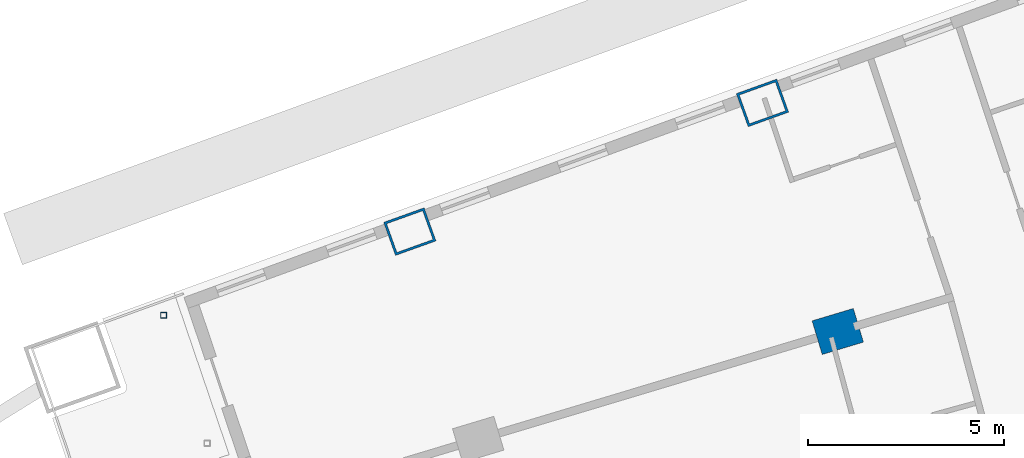
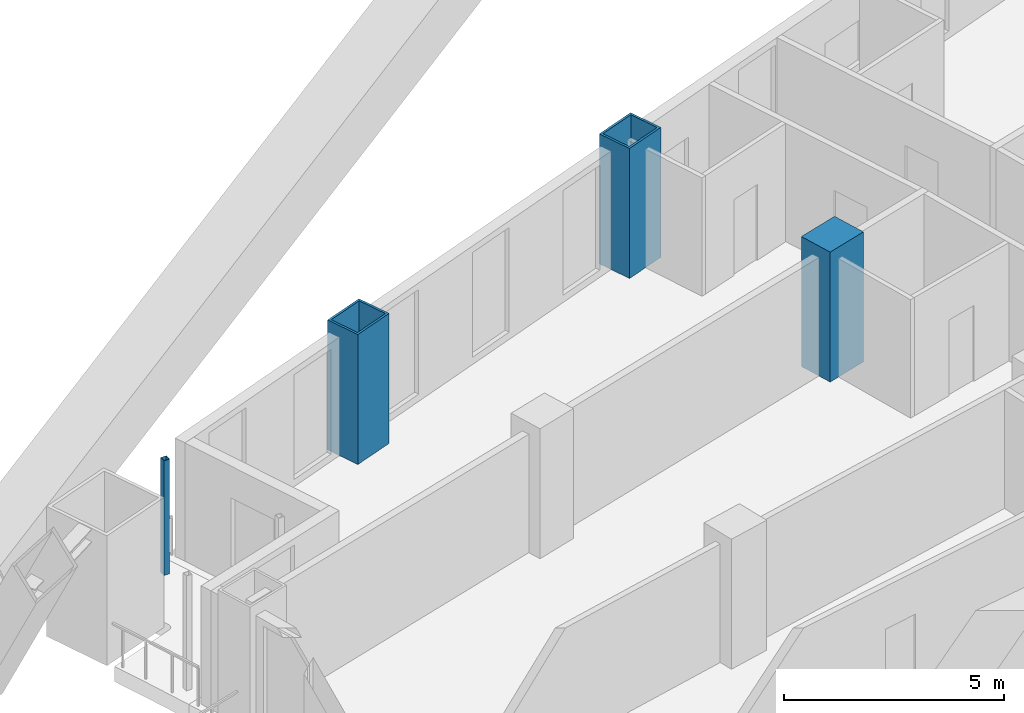
# One storey, part 9 of 25: 4 columns.
"""IFC4 building model written with IfcOpenShell, lengths in metres."""

import ifcopenshell
import ifcopenshell.guid

model = None  # the IFC model being written
_history = None  # IfcOwnerHistory: only IFC2X3 demands one
_inside = {}  # id of a spatial element -> (the spatial element, [elements in it])
_under = {}  # id of a project, library or spatial element -> (it, [spatial elements below it])
_declared = {}  # id of a project -> (the project, [libraries it declares])
_typed = {}  # id of a type object -> (the type object, [elements of that type])
_made_of = {}  # id of a material, layer set ... -> (it, [elements and type objects made of it])


def new_model(schema):
    """Start an empty IFC model of exactly this schema.

    Asked for "IFC4X3", IfcOpenShell would pick the latest addendum, in which some entities
    have other attributes; the version numbers below select the first issue.
    IFC2X3 requires an IfcOwnerHistory on every rooted entity: one is made here for all.
    """
    global model, _history
    if schema == "IFC4X3":
        model = ifcopenshell.file(schema_version=(4, 3, 0, 0))
    else:
        model = ifcopenshell.file(schema=schema)
    _inside.clear()
    _under.clear()
    _declared.clear()
    _typed.clear()
    _made_of.clear()
    _history = None
    if model.schema == "IFC2X3":
        org = make("IfcOrganization", Name="unknown")
        user = make(
            "IfcPersonAndOrganization",
            ThePerson=make("IfcPerson", FamilyName="unknown"),
            TheOrganization=org,
        )
        app = make(
            "IfcApplication",
            ApplicationDeveloper=org,
            Version="unknown",
            ApplicationFullName="unknown",
            ApplicationIdentifier="unknown",
        )
        _history = make(
            "IfcOwnerHistory",
            OwningUser=user,
            OwningApplication=app,
            ChangeAction="ADDED",
            CreationDate=0,
        )
    return model


def make(cls, **values):
    """One entity of the class cls with the attributes given. An attribute that is None is left unset."""
    return model.create_entity(
        cls, **{name: value for name, value in values.items() if value is not None}
    )


def rooted(cls, **values):
    """An entity with a GlobalId (a new one), such as an element, a storey or a relation."""
    return make(cls, GlobalId=ifcopenshell.guid.new(), OwnerHistory=_history, **values)


def si_unit(unit_type, name, prefix=None):
    """IfcSIUnit, for example si_unit("LENGTHUNIT", "METRE", prefix="MILLI")."""
    return make("IfcSIUnit", UnitType=unit_type, Prefix=prefix, Name=name)


def assignment(units):
    """IfcUnitAssignment: the units of a project."""
    return None if units is None else make("IfcUnitAssignment", Units=units)


def point(xyz):
    """IfcCartesianPoint."""
    return None if xyz is None else make("IfcCartesianPoint", Coordinates=xyz)


def direction(xyz):
    """IfcDirection."""
    return None if xyz is None else make("IfcDirection", DirectionRatios=xyz)


def frame(location, z_axis=None, x_axis=None):
    """IfcAxis2Placement3D, a coordinate frame: its origin and axes. An axis left out is left unset."""
    return make(
        "IfcAxis2Placement3D",
        Location=point(location),
        Axis=direction(z_axis),
        RefDirection=direction(x_axis),
    )


def frame_2d(location, x_axis=None):
    """IfcAxis2Placement2D, a coordinate frame in the plane: its origin and x axis."""
    return make(
        "IfcAxis2Placement2D", Location=point(location), RefDirection=direction(x_axis)
    )


def origin():
    """The frame at (0, 0, 0) with its axes left unset."""
    return frame((0.0, 0.0, 0.0))


def origin_2d():
    """The frame at (0, 0) in the plane with its x axis left unset."""
    return frame_2d((0.0, 0.0))


def place(relative_to, where):
    """IfcLocalPlacement: puts the frame where relative to a parent placement (None: the world)."""
    return make(
        "IfcLocalPlacement", PlacementRelTo=relative_to, RelativePlacement=where
    )


def context(
    kind, dimensions, precision=None, world=None, true_north=None, identifier=None
):
    """IfcGeometricRepresentationContext, for example the 3D "Model" context."""
    return make(
        "IfcGeometricRepresentationContext",
        ContextIdentifier=identifier,
        ContextType=kind,
        CoordinateSpaceDimension=dimensions,
        Precision=precision,
        WorldCoordinateSystem=world,
        TrueNorth=true_north,
    )


def subcontext(parent, identifier, kind, view, scale=None):
    """IfcGeometricRepresentationSubContext, for example "Body" below "Model"."""
    return make(
        "IfcGeometricRepresentationSubContext",
        ContextIdentifier=identifier,
        ContextType=kind,
        ParentContext=parent,
        TargetScale=scale,
        TargetView=view,
    )


def project(units=None, contexts=None):
    """IfcProject with its units and contexts."""
    return rooted(
        "IfcProject",
        Name="project",
        RepresentationContexts=contexts,
        UnitsInContext=assignment(units),
    )


def spatial(cls, under=None, at=None, **own):
    """A site, building, storey or space (cls), placed at a placement, below another one or the project."""
    s = rooted(cls, ObjectPlacement=at, **own)
    if under is not None:
        _under.setdefault(under.id(), (under, []))[1].append(s)
    return s


def profile(cls, at=None, kind="AREA", **sizes):
    """A parametric profile (cls). Its sizes go by their IFC names, for example OverallWidth=200.0."""
    return make(cls, ProfileType=kind, Position=at, **sizes)


def rectangle(**sizes):
    """IfcRectangleProfileDef."""
    return profile("IfcRectangleProfileDef", **sizes)


def hollow_rectangle(**sizes):
    """IfcRectangleHollowProfileDef."""
    return profile("IfcRectangleHollowProfileDef", **sizes)


def extrude(swept, where, along, depth):
    """IfcExtrudedAreaSolid: the profile swept, set in the frame where, extruded along a direction by depth."""
    return make(
        "IfcExtrudedAreaSolid",
        SweptArea=swept,
        Position=where,
        ExtrudedDirection=direction(along),
        Depth=depth,
    )


def shape(context_of_items, identifier, shape_type, items):
    """IfcShapeRepresentation: the items that make up one representation, for example the "Body"."""
    return make(
        "IfcShapeRepresentation",
        ContextOfItems=context_of_items,
        RepresentationIdentifier=identifier,
        RepresentationType=shape_type,
        Items=items,
    )


def material(Name=None, Category=None):
    """IfcMaterial."""
    return make("IfcMaterial", Name=Name, Category=Category)


def material_profile(
    of_material, cross_section, Name=None, Category=None, Priority=None
):
    """IfcMaterialProfile: a cross section and its material."""
    return make(
        "IfcMaterialProfile",
        Name=Name,
        Material=of_material,
        Profile=cross_section,
        Priority=Priority,
        Category=Category,
    )


def profile_set(profiles, Name=None, composite=None):
    """IfcMaterialProfileSet."""
    return make(
        "IfcMaterialProfileSet",
        Name=Name,
        MaterialProfiles=profiles,
        CompositeProfile=composite,
    )


def made_of(thing, what):
    """Note that an element or type object is made of a material, layer set ...; save() writes the relation."""
    if what is not None:
        _made_of.setdefault(what.id(), (what, []))[1].append(thing)
    return thing


def type_object(cls, material=None, **own):
    """A type object (cls), such as IfcWallType, which elements share."""
    return made_of(rooted(cls, **own), material)


def element(
    cls,
    number,
    at=None,
    inside=None,
    cuts=None,
    type_object=None,
    material=None,
    context=None,
    identifier="Body",
    shape_type=None,
    held_by="IfcProductDefinitionShape",
    body=None,
    shapes=None,
    **own,
):
    """One element of the class cls, such as IfcWall. Its Tag is "e" and its number.

    at: its placement. inside: the storey or other place that contains it. cuts: it is an
    opening in that element (IfcRelVoidsElement). A single representation is given by context,
    identifier, shape_type and body (its items); several are given by shapes. held_by: the class
    of the entity that holds the representations. save() writes the other relations.
    """
    e = rooted(cls, Tag="e%d" % number, ObjectPlacement=at, **own)
    if body is not None:
        shapes = [shape(context, identifier, shape_type, body)]
    if shapes is not None:
        e.Representation = make(held_by, Representations=shapes)
    if inside is not None:
        _inside.setdefault(inside.id(), (inside, []))[1].append(e)
    if cuts is not None:
        rooted(
            "IfcRelVoidsElement", RelatingBuildingElement=cuts, RelatedOpeningElement=e
        )
    if type_object is not None:
        _typed.setdefault(type_object.id(), (type_object, []))[1].append(e)
    return made_of(e, material)


def aggregate(whole, parts):
    """IfcRelAggregates: a whole, such as a stair, and the parts it consists of."""
    return rooted("IfcRelAggregates", RelatingObject=whole, RelatedObjects=parts)


def save(model, path):
    """Write the relations noted so far, then the file.

    IfcRelAggregates (storeys below a building ...), IfcRelContainedInSpatialStructure (elements
    in a storey), IfcRelDefinesByType, IfcRelAssociatesMaterial and IfcRelDeclares: one each for
    every whole, place, type object, material and project.
    """
    for whole, parts in _under.values():
        aggregate(whole, parts)
    for where, things in _inside.values():
        rooted(
            "IfcRelContainedInSpatialStructure",
            RelatedElements=things,
            RelatingStructure=where,
        )
    for kind, things in _typed.values():
        rooted("IfcRelDefinesByType", RelatedObjects=things, RelatingType=kind)
    for what, things in _made_of.values():
        rooted("IfcRelAssociatesMaterial", RelatedObjects=things, RelatingMaterial=what)
    for by, libraries in _declared.values():
        rooted("IfcRelDeclares", RelatingContext=by, RelatedDefinitions=libraries)
    model.write(path)


model = new_model("IFC4")

# Units and contexts
model_context = context("Model", 3, precision=1e-05, world=origin(), true_north=direction((0.0, 1.0)))
body_context = subcontext(model_context, "Body", "Model", "MODEL_VIEW")
ifc_project = project(units=[si_unit("LENGTHUNIT", "METRE"), si_unit("AREAUNIT", "SQUARE_METRE"), si_unit("VOLUMEUNIT", "CUBIC_METRE"), si_unit("PLANEANGLEUNIT", "RADIAN"), si_unit("MASSUNIT", "GRAM", prefix="KILO")], contexts=[model_context])

# Site, building, storey
site_placement = place(None, origin())
site = spatial("IfcSite", under=ifc_project, at=site_placement, CompositionType="ELEMENT")
building_placement = place(site_placement, origin())
building = spatial("IfcBuilding", under=site, at=building_placement, Name="Alderwake Tower", CompositionType="ELEMENT")
storey_placement = place(building_placement, frame((0.0, 0.0, 32.0)))
storey = spatial("IfcBuildingStorey", under=building, at=storey_placement, Name="L06", CompositionType="ELEMENT", Elevation=32.0)

# Columns
ifc_material_1 = material(Name="Steel ASTM A572 Grade 50 concrete filled C70/85", Category="concrete")
ifc_material_profile_1 = material_profile(ifc_material_1, hollow_rectangle(XDim=0.89990234375, YDim=1.10009765625, WallThickness=0.06005859375, at=origin_2d()), Name="BOX 1100X900X60")
ifc_profile_set_1 = profile_set([ifc_material_profile_1], Name="Steel ASTM A572 Grade 50 concrete filled C70/85")
column_type_1 = type_object("IfcColumnType", Name="End column Z1", PredefinedType="COLUMN", material=ifc_profile_set_1)
for number, where, z_axis, x_axis, name in (
    (1, (19.965576171875, 96.8515625, 0.0), (0.0, 0.0, 1.0), (-0.337584879279, 0.9412950915, 0.0), "Column R13-C1"),
    (2, (28.983642578125, 100.143310546875, 0.0), (0.0, 0.0, 1.0), (-0.338026774049, 0.941136493834, 0.0), "Column R13-C2"),
):
    element("IfcColumn", number, at=place(storey_placement, frame(where, z_axis=z_axis, x_axis=x_axis)), inside=storey, type_object=column_type_1, Name=name, PredefinedType="COLUMN", context=body_context, shape_type="SweptSolid", body=[
        extrude(hollow_rectangle(XDim=0.89990234375, YDim=1.10009765625, WallThickness=0.06005859375, at=origin_2d()), origin(), (0.0, 0.0, 1.0), 3.60009765625),
    ])
ifc_material_2 = material(Name="Concrete C70/85", Category="concrete")
ifc_material_profile_2 = material_profile(ifc_material_2, rectangle(XDim=0.89990234375, YDim=1.10009765625, at=origin_2d()), Name="RC 1100X900")
ifc_profile_set_2 = profile_set([ifc_material_profile_2], Name="Concrete C70/85")
column_type_2 = type_object("IfcColumnType", Name="Interior column Z1", PredefinedType="COLUMN", material=ifc_profile_set_2)
column_1_placement = place(storey_placement, frame((30.9091796875, 94.298095703125, 0.0), z_axis=(0.0, 0.0, 1.0), x_axis=(-0.287549418125, 0.957765802342, 0.0)))
element("IfcColumn", 3, at=column_1_placement, inside=storey, type_object=column_type_2, Name="Column R12-C2", PredefinedType="COLUMN", context=body_context, shape_type="SweptSolid", body=[
    extrude(rectangle(XDim=0.89990234375, YDim=1.10009765625, at=origin_2d()), origin(), (0.0, 0.0, 1.0), 3.60009765625),
])
ifc_material_3 = material(Name="Steel ASTM A500 Grade C", Category="steel")
ifc_material_profile_3 = material_profile(ifc_material_3, hollow_rectangle(XDim=0.15234375, YDim=0.15234375, WallThickness=0.0087890625, at=origin_2d()), Name="HSS6X6X3/8")
ifc_profile_set_3 = profile_set([ifc_material_profile_3], Name="Steel ASTM A500 Grade C")
column_type_3 = type_object("IfcColumnType", Name="Light post HSS6X6X3/8", PredefinedType="COLUMN", material=ifc_profile_set_3)
column_2_placement = place(storey_placement, frame((13.66796875, 94.71240234375, 0.0), z_axis=(0.0, 0.0, 1.0), x_axis=(1.0, 0.0, 0.0)))
element("IfcColumn", 4, at=column_2_placement, inside=storey, type_object=column_type_3, Name="Terrace post RN2", PredefinedType="COLUMN", context=body_context, shape_type="SweptSolid", body=[
    extrude(hollow_rectangle(XDim=0.15234375, YDim=0.15234375, WallThickness=0.0087890625, at=origin_2d()), origin(), (0.0, 0.0, 1.0), 3.179931640625),
])

save(model, "model.ifc")
